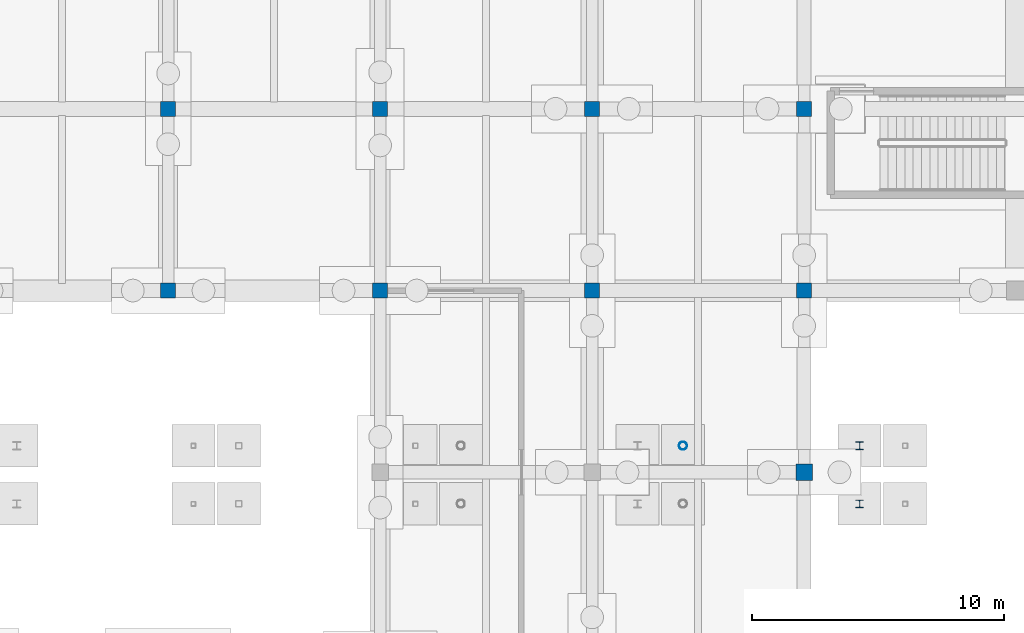
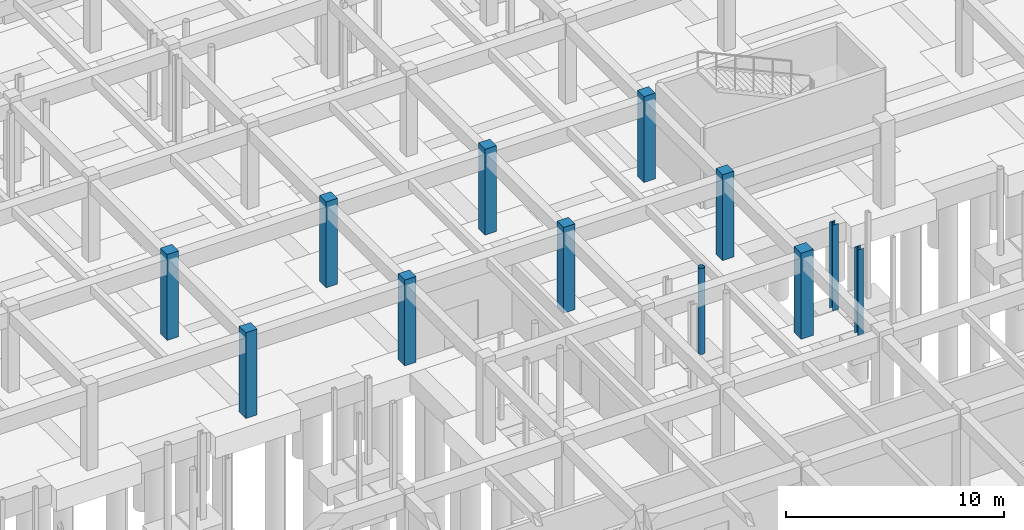
# One storey, part 22 of 80: 12 columns.
"""IFC4 building model written with IfcOpenShell, lengths in metres."""

import ifcopenshell
import ifcopenshell.guid

model = None  # the IFC model being written
_history = None  # IfcOwnerHistory: only IFC2X3 demands one
_inside = {}  # id of a spatial element -> (the spatial element, [elements in it])
_under = {}  # id of a project, library or spatial element -> (it, [spatial elements below it])
_declared = {}  # id of a project -> (the project, [libraries it declares])
_typed = {}  # id of a type object -> (the type object, [elements of that type])
_made_of = {}  # id of a material, layer set ... -> (it, [elements and type objects made of it])


def new_model(schema):
    """Start an empty IFC model of exactly this schema.

    Asked for "IFC4X3", IfcOpenShell would pick the latest addendum, in which some entities
    have other attributes; the version numbers below select the first issue.
    IFC2X3 requires an IfcOwnerHistory on every rooted entity: one is made here for all.
    """
    global model, _history
    if schema == "IFC4X3":
        model = ifcopenshell.file(schema_version=(4, 3, 0, 0))
    else:
        model = ifcopenshell.file(schema=schema)
    _inside.clear()
    _under.clear()
    _declared.clear()
    _typed.clear()
    _made_of.clear()
    _history = None
    if model.schema == "IFC2X3":
        org = make("IfcOrganization", Name="unknown")
        user = make(
            "IfcPersonAndOrganization",
            ThePerson=make("IfcPerson", FamilyName="unknown"),
            TheOrganization=org,
        )
        app = make(
            "IfcApplication",
            ApplicationDeveloper=org,
            Version="unknown",
            ApplicationFullName="unknown",
            ApplicationIdentifier="unknown",
        )
        _history = make(
            "IfcOwnerHistory",
            OwningUser=user,
            OwningApplication=app,
            ChangeAction="ADDED",
            CreationDate=0,
        )
    return model


def make(cls, **values):
    """One entity of the class cls with the attributes given. An attribute that is None is left unset."""
    return model.create_entity(
        cls, **{name: value for name, value in values.items() if value is not None}
    )


def rooted(cls, **values):
    """An entity with a GlobalId (a new one), such as an element, a storey or a relation."""
    return make(cls, GlobalId=ifcopenshell.guid.new(), OwnerHistory=_history, **values)


def si_unit(unit_type, name, prefix=None):
    """IfcSIUnit, for example si_unit("LENGTHUNIT", "METRE", prefix="MILLI")."""
    return make("IfcSIUnit", UnitType=unit_type, Prefix=prefix, Name=name)


def assignment(units):
    """IfcUnitAssignment: the units of a project."""
    return None if units is None else make("IfcUnitAssignment", Units=units)


def point(xyz):
    """IfcCartesianPoint."""
    return None if xyz is None else make("IfcCartesianPoint", Coordinates=xyz)


def direction(xyz):
    """IfcDirection."""
    return None if xyz is None else make("IfcDirection", DirectionRatios=xyz)


def frame(location, z_axis=None, x_axis=None):
    """IfcAxis2Placement3D, a coordinate frame: its origin and axes. An axis left out is left unset."""
    return make(
        "IfcAxis2Placement3D",
        Location=point(location),
        Axis=direction(z_axis),
        RefDirection=direction(x_axis),
    )


def frame_2d(location, x_axis=None):
    """IfcAxis2Placement2D, a coordinate frame in the plane: its origin and x axis."""
    return make(
        "IfcAxis2Placement2D", Location=point(location), RefDirection=direction(x_axis)
    )


def origin():
    """The frame at (0, 0, 0) with its axes left unset."""
    return frame((0.0, 0.0, 0.0))


def origin_2d():
    """The frame at (0, 0) in the plane with its x axis left unset."""
    return frame_2d((0.0, 0.0))


def place(relative_to, where):
    """IfcLocalPlacement: puts the frame where relative to a parent placement (None: the world)."""
    return make(
        "IfcLocalPlacement", PlacementRelTo=relative_to, RelativePlacement=where
    )


def context(
    kind, dimensions, precision=None, world=None, true_north=None, identifier=None
):
    """IfcGeometricRepresentationContext, for example the 3D "Model" context."""
    return make(
        "IfcGeometricRepresentationContext",
        ContextIdentifier=identifier,
        ContextType=kind,
        CoordinateSpaceDimension=dimensions,
        Precision=precision,
        WorldCoordinateSystem=world,
        TrueNorth=true_north,
    )


def subcontext(parent, identifier, kind, view, scale=None):
    """IfcGeometricRepresentationSubContext, for example "Body" below "Model"."""
    return make(
        "IfcGeometricRepresentationSubContext",
        ContextIdentifier=identifier,
        ContextType=kind,
        ParentContext=parent,
        TargetScale=scale,
        TargetView=view,
    )


def project(units=None, contexts=None):
    """IfcProject with its units and contexts."""
    return rooted(
        "IfcProject",
        Name="project",
        RepresentationContexts=contexts,
        UnitsInContext=assignment(units),
    )


def spatial(cls, under=None, at=None, **own):
    """A site, building, storey or space (cls), placed at a placement, below another one or the project."""
    s = rooted(cls, ObjectPlacement=at, **own)
    if under is not None:
        _under.setdefault(under.id(), (under, []))[1].append(s)
    return s


def profile(cls, at=None, kind="AREA", **sizes):
    """A parametric profile (cls). Its sizes go by their IFC names, for example OverallWidth=200.0."""
    return make(cls, ProfileType=kind, Position=at, **sizes)


def rectangle(**sizes):
    """IfcRectangleProfileDef."""
    return profile("IfcRectangleProfileDef", **sizes)


def hollow_circle(**sizes):
    """IfcCircleHollowProfileDef."""
    return profile("IfcCircleHollowProfileDef", **sizes)


def i_section(**sizes):
    """IfcIShapeProfileDef."""
    return profile("IfcIShapeProfileDef", **sizes)


def extrude(swept, where, along, depth):
    """IfcExtrudedAreaSolid: the profile swept, set in the frame where, extruded along a direction by depth."""
    return make(
        "IfcExtrudedAreaSolid",
        SweptArea=swept,
        Position=where,
        ExtrudedDirection=direction(along),
        Depth=depth,
    )


def shape(context_of_items, identifier, shape_type, items):
    """IfcShapeRepresentation: the items that make up one representation, for example the "Body"."""
    return make(
        "IfcShapeRepresentation",
        ContextOfItems=context_of_items,
        RepresentationIdentifier=identifier,
        RepresentationType=shape_type,
        Items=items,
    )


def material(Name=None, Category=None):
    """IfcMaterial."""
    return make("IfcMaterial", Name=Name, Category=Category)


def material_profile(
    of_material, cross_section, Name=None, Category=None, Priority=None
):
    """IfcMaterialProfile: a cross section and its material."""
    return make(
        "IfcMaterialProfile",
        Name=Name,
        Material=of_material,
        Profile=cross_section,
        Priority=Priority,
        Category=Category,
    )


def profile_set(profiles, Name=None, composite=None):
    """IfcMaterialProfileSet."""
    return make(
        "IfcMaterialProfileSet",
        Name=Name,
        MaterialProfiles=profiles,
        CompositeProfile=composite,
    )


def made_of(thing, what):
    """Note that an element or type object is made of a material, layer set ...; save() writes the relation."""
    if what is not None:
        _made_of.setdefault(what.id(), (what, []))[1].append(thing)
    return thing


def type_object(cls, material=None, **own):
    """A type object (cls), such as IfcWallType, which elements share."""
    return made_of(rooted(cls, **own), material)


def element(
    cls,
    number,
    at=None,
    inside=None,
    cuts=None,
    type_object=None,
    material=None,
    context=None,
    identifier="Body",
    shape_type=None,
    held_by="IfcProductDefinitionShape",
    body=None,
    shapes=None,
    **own,
):
    """One element of the class cls, such as IfcWall. Its Tag is "e" and its number.

    at: its placement. inside: the storey or other place that contains it. cuts: it is an
    opening in that element (IfcRelVoidsElement). A single representation is given by context,
    identifier, shape_type and body (its items); several are given by shapes. held_by: the class
    of the entity that holds the representations. save() writes the other relations.
    """
    e = rooted(cls, Tag="e%d" % number, ObjectPlacement=at, **own)
    if body is not None:
        shapes = [shape(context, identifier, shape_type, body)]
    if shapes is not None:
        e.Representation = make(held_by, Representations=shapes)
    if inside is not None:
        _inside.setdefault(inside.id(), (inside, []))[1].append(e)
    if cuts is not None:
        rooted(
            "IfcRelVoidsElement", RelatingBuildingElement=cuts, RelatedOpeningElement=e
        )
    if type_object is not None:
        _typed.setdefault(type_object.id(), (type_object, []))[1].append(e)
    return made_of(e, material)


def aggregate(whole, parts):
    """IfcRelAggregates: a whole, such as a stair, and the parts it consists of."""
    return rooted("IfcRelAggregates", RelatingObject=whole, RelatedObjects=parts)


def save(model, path):
    """Write the relations noted so far, then the file.

    IfcRelAggregates (storeys below a building ...), IfcRelContainedInSpatialStructure (elements
    in a storey), IfcRelDefinesByType, IfcRelAssociatesMaterial and IfcRelDeclares: one each for
    every whole, place, type object, material and project.
    """
    for whole, parts in _under.values():
        aggregate(whole, parts)
    for where, things in _inside.values():
        rooted(
            "IfcRelContainedInSpatialStructure",
            RelatedElements=things,
            RelatingStructure=where,
        )
    for kind, things in _typed.values():
        rooted("IfcRelDefinesByType", RelatedObjects=things, RelatingType=kind)
    for what, things in _made_of.values():
        rooted("IfcRelAssociatesMaterial", RelatedObjects=things, RelatingMaterial=what)
    for by, libraries in _declared.values():
        rooted("IfcRelDeclares", RelatingContext=by, RelatedDefinitions=libraries)
    model.write(path)


model = new_model("IFC4")

# Units and contexts
model_context = context("Model", 3, precision=1e-05, world=origin(), true_north=direction((0.0, 1.0)))
body_context = subcontext(model_context, "Body", "Model", "MODEL_VIEW")
ifc_project = project(units=[si_unit("LENGTHUNIT", "METRE"), si_unit("AREAUNIT", "SQUARE_METRE"), si_unit("VOLUMEUNIT", "CUBIC_METRE"), si_unit("PLANEANGLEUNIT", "RADIAN"), si_unit("MASSUNIT", "GRAM", prefix="KILO")], contexts=[model_context])

# Site, building, storey
site_placement = place(None, origin())
site = spatial("IfcSite", under=ifc_project, at=site_placement, CompositionType="ELEMENT")
building_placement = place(site_placement, origin())
building = spatial("IfcBuilding", under=site, at=building_placement, Name="Malvenik Polytechnic", CompositionType="ELEMENT")
storey_placement = place(building_placement, frame((0.0, 0.0, -4.800048828125)))
storey = spatial("IfcBuildingStorey", under=building, at=storey_placement, Name="B1", CompositionType="ELEMENT", Elevation=-4.800048828125)

# Columns
ifc_material_1 = material(Name="Concrete C35/45", Category="concrete")
ifc_material_profile_1 = material_profile(ifc_material_1, rectangle(XDim=0.64990234375, YDim=0.64990234375, at=origin_2d()), Name="RC COL 650x650")
ifc_profile_set_1 = profile_set([ifc_material_profile_1], Name="Concrete C35/45")
column_type_1 = type_object("IfcColumnType", Name="STR-COL-C-05", PredefinedType="COLUMN", material=ifc_profile_set_1)
column_1_placement = place(storey_placement, frame((92.39990234375, 43.199951171875, 0.0), z_axis=(0.0, 0.0, 1.0), x_axis=(1.0, 0.0, 0.0)))
element("IfcColumn", 1, at=column_1_placement, inside=storey, type_object=column_type_1, Name="Column C-05 B1 (92.4,43.2)", PredefinedType="COLUMN", context=body_context, shape_type="SweptSolid", body=[
    extrude(rectangle(XDim=0.64990234375, YDim=0.64990234375, at=origin_2d()), origin(), (0.0, 0.0, 1.0), 4.800048828125),
])
ifc_material_profile_2 = material_profile(ifc_material_1, rectangle(XDim=0.60009765625, YDim=0.60009765625, at=origin_2d()), Name="RC COL 600x600")
ifc_profile_set_2 = profile_set([ifc_material_profile_2], Name="Concrete C35/45")
column_type_2 = type_object("IfcColumnType", Name="STR-COL-C-06", PredefinedType="COLUMN", material=ifc_profile_set_2)
for number, where, z_axis, x_axis, name in (
    (2, (67.199951171875, 50.39990234375, 0.0), (0.0, 0.0, 1.0), (1.0, 0.0, 0.0), "Column C-06 B1 (67.2,50.4)"),
    (3, (67.199951171875, 57.60009765625, 0.0), (0.0, 0.0, 1.0), (1.0, 0.0, 0.0), "Column C-06 B1 (67.2,57.6)"),
    (4, (75.60009765625, 50.39990234375, 0.0), (0.0, 0.0, 1.0), (1.0, 0.0, 0.0), "Column C-06 B1 (75.6,50.4)"),
    (5, (75.60009765625, 57.60009765625, 0.0), (0.0, 0.0, 1.0), (1.0, 0.0, 0.0), "Column C-06 B1 (75.6,57.6)"),
    (6, (84.0, 50.39990234375, 0.0), (0.0, 0.0, 1.0), (1.0, 0.0, 0.0), "Column C-06 B1 (84.0,50.4)"),
    (7, (84.0, 57.60009765625, 0.0), (0.0, 0.0, 1.0), (1.0, 0.0, 0.0), "Column C-06 B1 (84.0,57.6)"),
    (8, (92.39990234375, 50.39990234375, 0.0), (0.0, 0.0, 1.0), (1.0, 0.0, 0.0), "Column C-06 B1 (92.4,50.4)"),
    (9, (92.39990234375, 57.60009765625, 0.0), (0.0, 0.0, 1.0), (1.0, 0.0, 0.0), "Column C-06 B1 (92.4,57.6)"),
):
    element("IfcColumn", number, at=place(storey_placement, frame(where, z_axis=z_axis, x_axis=x_axis)), inside=storey, type_object=column_type_2, Name=name, PredefinedType="COLUMN", context=body_context, shape_type="SweptSolid", body=[
        extrude(rectangle(XDim=0.60009765625, YDim=0.60009765625, at=origin_2d()), origin(), (0.0, 0.0, 1.0), 4.800048828125),
    ])
ifc_material_2 = material(Name="Steel S355J2H", Category="steel")
ifc_material_profile_3 = material_profile(ifc_material_2, hollow_circle(Radius=0.161865234375, WallThickness=0.012451171875, at=origin_2d()), Name="CHS 323.9x12.5")
ifc_profile_set_3 = profile_set([ifc_material_profile_3], Name="Steel S355J2H")
column_type_3 = type_object("IfcColumnType", Name="STR-SCOL-SC-04", PredefinedType="COLUMN", material=ifc_profile_set_3)
column_2_placement = place(storey_placement, frame((87.60009765625, 44.25, 0.0), z_axis=(0.0, 0.0, 1.0), x_axis=(1.0, 0.0, 0.0)))
element("IfcColumn", 10, at=column_2_placement, inside=storey, type_object=column_type_3, Name="Bridge-Ramp Support Column SC-04 B1", PredefinedType="COLUMN", context=body_context, shape_type="SweptSolid", body=[
    extrude(hollow_circle(Radius=0.161865234375, WallThickness=0.012451171875, at=origin_2d()), origin(), (0.0, 0.0, 1.0), 4.800048828125),
])
ifc_material_3 = material(Name="Steel S355", Category="steel")
ifc_material_profile_4 = material_profile(ifc_material_3, i_section(OverallWidth=0.300048828125, OverallDepth=0.300048828125, WebThickness=0.010986328125, FlangeThickness=0.01904296875, FilletRadius=0.027099609375, at=origin_2d()), Name="HEB 300")
ifc_profile_set_4 = profile_set([ifc_material_profile_4], Name="Steel S355")
column_type_4 = type_object("IfcColumnType", Name="STR-SCOL-SC-05", PredefinedType="COLUMN", material=ifc_profile_set_4)
for number, where, z_axis, x_axis, name in (
    (11, (94.60009765625, 41.949951171875, 0.0), (0.0, 0.0, 1.0), (1.0, 0.0, 0.0), "Bridge-Ramp Support Column SC-05 B1"),
    (12, (94.60009765625, 44.25, 0.0), (0.0, 0.0, 1.0), (1.0, 0.0, 0.0), "Bridge-Ramp Support Column SC-05 B1"),
):
    element("IfcColumn", number, at=place(storey_placement, frame(where, z_axis=z_axis, x_axis=x_axis)), inside=storey, type_object=column_type_4, Name=name, PredefinedType="COLUMN", context=body_context, shape_type="SweptSolid", body=[
        extrude(i_section(OverallWidth=0.300048828125, OverallDepth=0.300048828125, WebThickness=0.010986328125, FlangeThickness=0.01904296875, FilletRadius=0.027099609375, at=origin_2d()), origin(), (0.0, 0.0, 1.0), 4.800048828125),
    ])

save(model, "model.ifc")
